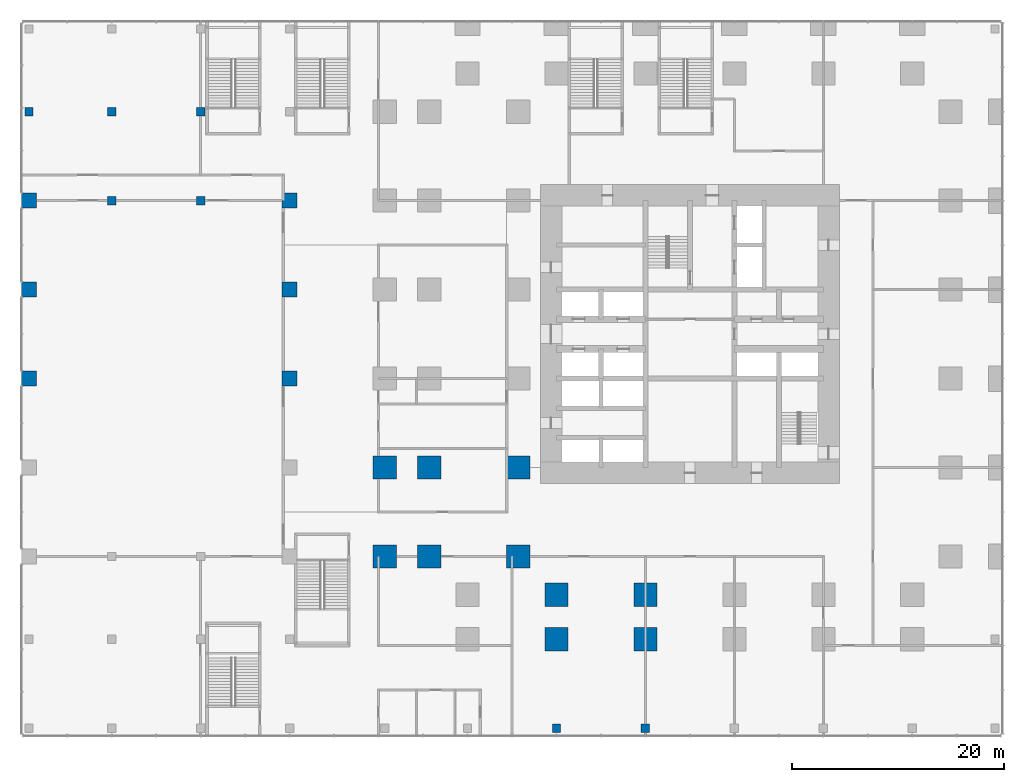
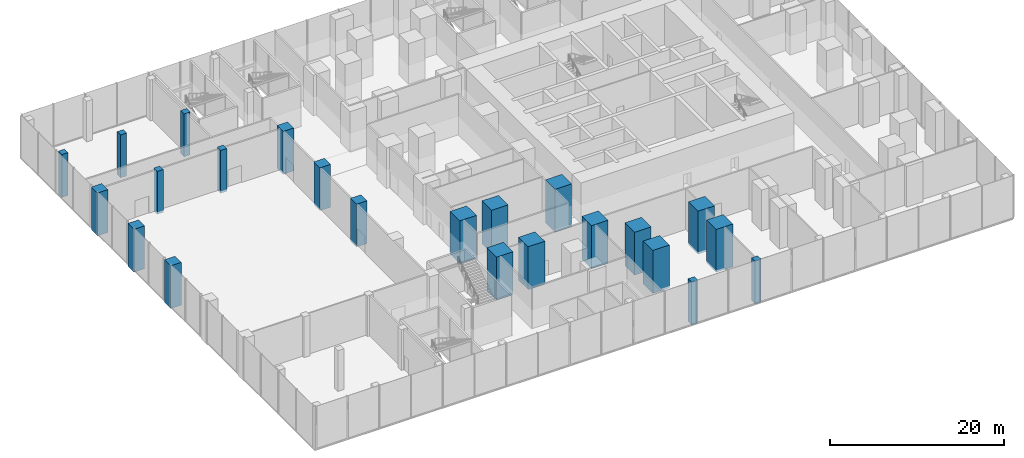
# One storey, part 5 of 32: 23 columns.
"""IFC4 building model written with IfcOpenShell, lengths in metres."""

from ifc_helpers import new_model, si_unit, direction, frame, origin, origin_2d, place, context, subcontext, project, spatial, rectangle, extrude, material, material_profile, profile_set, type_object, element, save


model = new_model("IFC4")

# Units and contexts
model_context = context("Model", 3, precision=1e-05, world=origin(), true_north=direction((0.0, 1.0)))
body_context = subcontext(model_context, "Body", "Model", "MODEL_VIEW")
ifc_project = project(units=[si_unit("LENGTHUNIT", "METRE"), si_unit("AREAUNIT", "SQUARE_METRE"), si_unit("VOLUMEUNIT", "CUBIC_METRE"), si_unit("PLANEANGLEUNIT", "RADIAN"), si_unit("MASSUNIT", "GRAM", prefix="KILO")], contexts=[model_context])

# Site, building, storey
site_placement = place(None, origin())
site = spatial("IfcSite", under=ifc_project, at=site_placement, CompositionType="ELEMENT")
building_placement = place(site_placement, origin())
building = spatial("IfcBuilding", under=site, at=building_placement, Name="Dunama Terrace Hotel", CompositionType="ELEMENT")
storey_placement = place(building_placement, frame((0.0, 0.0, 6.0)))
storey = spatial("IfcBuildingStorey", under=building, at=storey_placement, Name="L01", CompositionType="ELEMENT", Elevation=6.0)

# Columns
ifc_material_1 = material(Name="Concrete C50/60", Category="concrete")
ifc_material_profile_1 = material_profile(ifc_material_1, rectangle(XDim=1.39990234375, YDim=1.39990234375, at=origin_2d()), Name="RC 1400x1400")
ifc_profile_set_1 = profile_set([ifc_material_profile_1], Name="Concrete C50/60")
column_type_1 = type_object("IfcColumnType", Name="Column RC 1400x1400", PredefinedType="COLUMN", material=ifc_profile_set_1)
for number, where, z_axis, x_axis, name in (
    (1, (-33.0, 25.199951171875, -0.300048828125), (0.0, 0.0, 1.0), (1.0, 0.0, 0.0), "Column L01 -33.0/+25.2"),
    (2, (-33.0, 33.60009765625, -0.300048828125), (0.0, 0.0, 1.0), (1.0, 0.0, 0.0), "Column L01 -33.0/+33.6"),
    (3, (-33.0, 42.0, -0.300048828125), (0.0, 0.0, 1.0), (1.0, 0.0, 0.0), "Column L01 -33.0/+42.0"),
    (4, (-8.39990234375, 25.199951171875, -0.300048828125), (0.0, 0.0, 1.0), (1.0, 0.0, 0.0), "Column L01 -8.4/+25.2"),
    (5, (-8.39990234375, 33.60009765625, -0.300048828125), (0.0, 0.0, 1.0), (1.0, 0.0, 0.0), "Column L01 -8.4/+33.6"),
    (6, (-8.39990234375, 42.0, -0.300048828125), (0.0, 0.0, 1.0), (1.0, 0.0, 0.0), "Column L01 -8.4/+42.0"),
):
    element("IfcColumn", number, at=place(storey_placement, frame(where, z_axis=z_axis, x_axis=x_axis)), inside=storey, type_object=column_type_1, Name=name, PredefinedType="COLUMN", context=body_context, shape_type="SweptSolid", body=[
        extrude(rectangle(XDim=1.39990234375, YDim=1.39990234375, at=origin_2d()), origin(), (0.0, 0.0, 1.0), 6.0),
    ])
ifc_material_2 = material(Name="Concrete C60/75", Category="concrete")
ifc_material_profile_2 = material_profile(ifc_material_2, rectangle(XDim=2.199951171875, YDim=2.199951171875, at=origin_2d()), Name="RC 2200x2200")
ifc_profile_set_2 = profile_set([ifc_material_profile_2], Name="Concrete C60/75")
column_type_2 = type_object("IfcColumnType", Name="Column RC 2200x2200", PredefinedType="COLUMN", material=ifc_profile_set_2)
for number, where, z_axis, x_axis, name in (
    (7, (0.60009765625, 8.39990234375, -0.300048828125), (0.0, 0.0, 1.0), (1.0, 0.0, 0.0), "Column L01 +0.6/+8.4"),
    (8, (0.60009765625, 16.800048828125, -0.300048828125), (0.0, 0.0, 1.0), (1.0, 0.0, 0.0), "Column L01 +0.6/+16.8"),
    (9, (4.800048828125, 8.39990234375, -0.300048828125), (0.0, 0.0, 1.0), (1.0, 0.0, 0.0), "Column L01 +4.8/+8.4"),
    (10, (4.800048828125, 16.800048828125, -0.300048828125), (0.0, 0.0, 1.0), (1.0, 0.0, 0.0), "Column L01 +4.8/+16.8"),
    (11, (13.199951171875, 8.39990234375, -0.300048828125), (0.0, 0.0, 1.0), (1.0, 0.0, 0.0), "Column L01 +13.2/+8.4"),
    (12, (13.199951171875, 16.800048828125, -0.300048828125), (0.0, 0.0, 1.0), (1.0, 0.0, 0.0), "Column L01 +13.2/+16.8"),
    (13, (16.800048828125, 0.60009765625, -0.300048828125), (0.0, 0.0, 1.0), (1.0, 0.0, 0.0), "Column L01 +16.8/+0.6"),
    (14, (16.800048828125, 4.800048828125, -0.300048828125), (0.0, 0.0, 1.0), (1.0, 0.0, 0.0), "Column L01 +16.8/+4.8"),
    (15, (25.199951171875, 0.60009765625, -0.300048828125), (0.0, 0.0, 1.0), (1.0, 0.0, 0.0), "Column L01 +25.2/+0.6"),
    (16, (25.199951171875, 4.800048828125, -0.300048828125), (0.0, 0.0, 1.0), (1.0, 0.0, 0.0), "Column L01 +25.2/+4.8"),
):
    element("IfcColumn", number, at=place(storey_placement, frame(where, z_axis=z_axis, x_axis=x_axis)), inside=storey, type_object=column_type_2, Name=name, PredefinedType="COLUMN", context=body_context, shape_type="SweptSolid", body=[
        extrude(rectangle(XDim=2.199951171875, YDim=2.199951171875, at=origin_2d()), origin(), (0.0, 0.0, 1.0), 6.0),
    ])
ifc_material_3 = material(Name="Concrete C40/50", Category="concrete")
ifc_material_profile_3 = material_profile(ifc_material_3, rectangle(XDim=0.800048828125, YDim=0.800048828125, at=origin_2d()), Name="RC 800x800")
ifc_profile_set_3 = profile_set([ifc_material_profile_3], Name="Concrete C40/50")
column_type_3 = type_object("IfcColumnType", Name="Column RC 800x800", PredefinedType="COLUMN", material=ifc_profile_set_3)
for number, where, z_axis, x_axis, name in (
    (17, (-33.0, 50.39990234375, -0.300048828125), (0.0, 0.0, 1.0), (1.0, 0.0, 0.0), "Column L01 -33.0/+50.4"),
    (18, (-25.199951171875, 42.0, -0.300048828125), (0.0, 0.0, 1.0), (1.0, 0.0, 0.0), "Column L01 -25.2/+42.0"),
    (19, (-25.199951171875, 50.39990234375, -0.300048828125), (0.0, 0.0, 1.0), (1.0, 0.0, 0.0), "Column L01 -25.2/+50.4"),
    (20, (-16.800048828125, 42.0, -0.300048828125), (0.0, 0.0, 1.0), (1.0, 0.0, 0.0), "Column L01 -16.8/+42.0"),
    (21, (-16.800048828125, 50.39990234375, -0.300048828125), (0.0, 0.0, 1.0), (1.0, 0.0, 0.0), "Column L01 -16.8/+50.4"),
    (22, (16.800048828125, -7.800048828125, -0.300048828125), (0.0, 0.0, 1.0), (1.0, 0.0, 0.0), "Column L01 +16.8/-7.8"),
    (23, (25.199951171875, -7.800048828125, -0.300048828125), (0.0, 0.0, 1.0), (1.0, 0.0, 0.0), "Column L01 +25.2/-7.8"),
):
    element("IfcColumn", number, at=place(storey_placement, frame(where, z_axis=z_axis, x_axis=x_axis)), inside=storey, type_object=column_type_3, Name=name, PredefinedType="COLUMN", context=body_context, shape_type="SweptSolid", body=[
        extrude(rectangle(XDim=0.800048828125, YDim=0.800048828125, at=origin_2d()), origin(), (0.0, 0.0, 1.0), 6.0),
    ])

save(model, "model.ifc")
